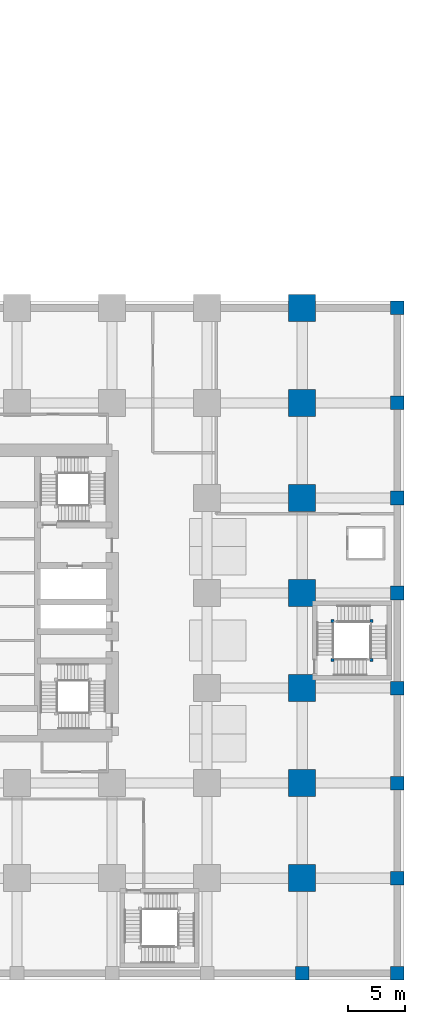
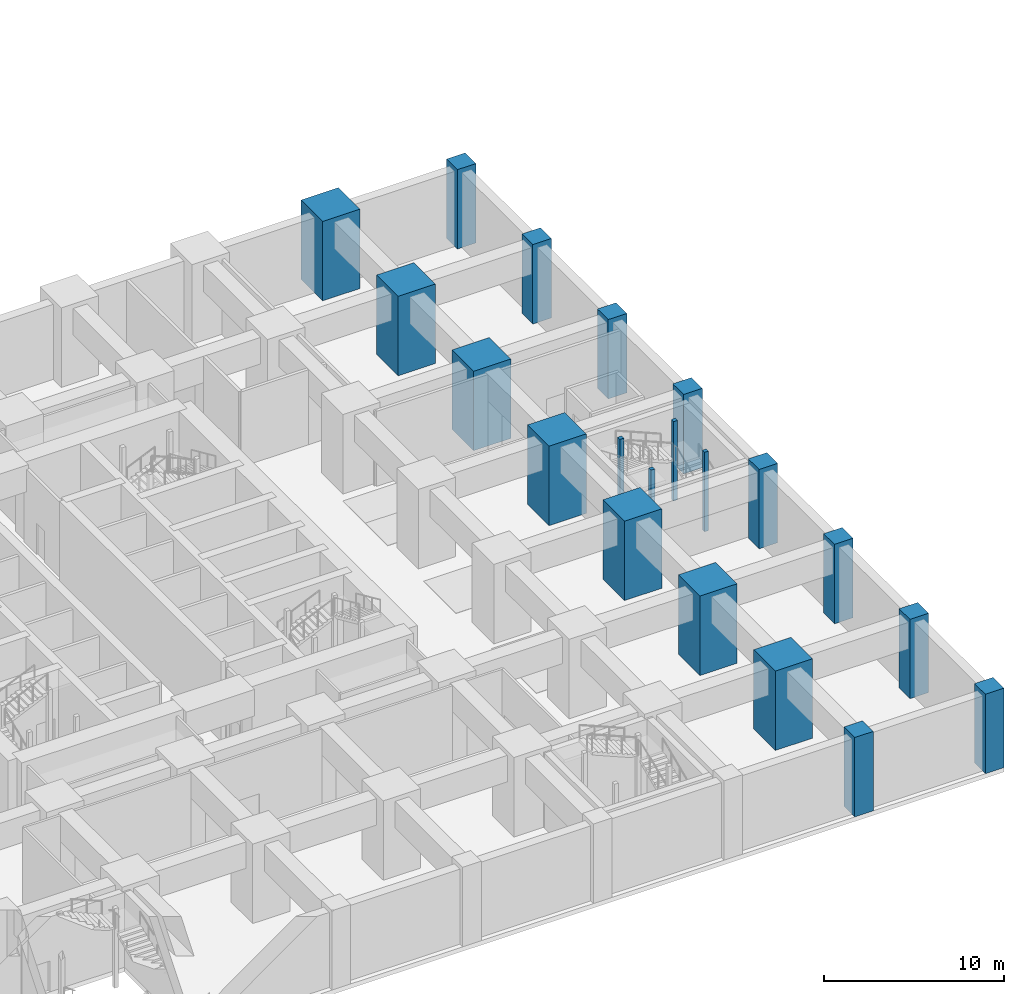
# One storey, part 3 of 20: 20 columns.
"""IFC4 building model written with IfcOpenShell, lengths in metres."""

from ifc_helpers import new_model, si_unit, direction, frame, origin, origin_2d, place, context, subcontext, project, spatial, rectangle, extrude, material, material_profile, profile_set, type_object, element, save


model = new_model("IFC4")

# Units and contexts
model_context = context("Model", 3, precision=1e-05, world=origin(), true_north=direction((0.0, 1.0)))
body_context = subcontext(model_context, "Body", "Model", "MODEL_VIEW")
ifc_project = project(units=[si_unit("LENGTHUNIT", "METRE"), si_unit("AREAUNIT", "SQUARE_METRE"), si_unit("VOLUMEUNIT", "CUBIC_METRE"), si_unit("PLANEANGLEUNIT", "RADIAN"), si_unit("MASSUNIT", "GRAM", prefix="KILO")], contexts=[model_context])

# Site, building, storey
site_placement = place(None, origin())
site = spatial("IfcSite", under=ifc_project, at=site_placement, CompositionType="ELEMENT")
building_placement = place(site_placement, origin())
building = spatial("IfcBuilding", under=site, at=building_placement, Name="Rekha Terrace Tower", CompositionType="ELEMENT")
storey_placement = place(building_placement, frame((0.0, 0.0, -5.39990234375)))
storey = spatial("IfcBuildingStorey", under=building, at=storey_placement, Name="B-01", CompositionType="ELEMENT", Elevation=-5.39990234375)

# Columns
ifc_material_1 = material(Name="Concrete M70", Category="concrete")
ifc_material_profile_1 = material_profile(ifc_material_1, rectangle(XDim=2.39990234375, YDim=2.39990234375, at=origin_2d()), Name="RC 2400x2400")
ifc_profile_set_1 = profile_set([ifc_material_profile_1], Name="Concrete M70")
column_type_1 = type_object("IfcColumnType", Name="C1 2400x2400 column", PredefinedType="COLUMN", material=ifc_profile_set_1)
for number, where, z_axis, x_axis, name in (
    (1, (67.199951171875, 8.39990234375, 0.0), (0.0, 0.0, 1.0), (1.0, 0.0, 0.0), "Column C1 9/B B-01"),
    (2, (67.199951171875, 16.800048828125, 0.0), (0.0, 0.0, 1.0), (1.0, 0.0, 0.0), "Column C1 9/C B-01"),
    (3, (67.199951171875, 25.199951171875, 0.0), (0.0, 0.0, 1.0), (1.0, 0.0, 0.0), "Column C1 9/D B-01"),
    (4, (67.199951171875, 33.60009765625, 0.0), (0.0, 0.0, 1.0), (1.0, 0.0, 0.0), "Column C1 9/E B-01"),
    (5, (67.199951171875, 42.0, 0.0), (0.0, 0.0, 1.0), (1.0, 0.0, 0.0), "Column C1 9/F B-01"),
    (6, (67.199951171875, 50.39990234375, 0.0), (0.0, 0.0, 1.0), (1.0, 0.0, 0.0), "Column C1 9/G B-01"),
    (7, (67.199951171875, 58.800048828125, 0.0), (0.0, 0.0, 1.0), (1.0, 0.0, 0.0), "Column C1 9/H B-01"),
):
    element("IfcColumn", number, at=place(storey_placement, frame(where, z_axis=z_axis, x_axis=x_axis)), inside=storey, type_object=column_type_1, Name=name, PredefinedType="COLUMN", context=body_context, shape_type="SweptSolid", body=[
        extrude(rectangle(XDim=2.39990234375, YDim=2.39990234375, at=origin_2d()), origin(), (0.0, 0.0, 1.0), 5.39990234375),
    ])
ifc_material_2 = material(Name="Concrete M60", Category="concrete")
ifc_material_profile_2 = material_profile(ifc_material_2, rectangle(XDim=1.199951171875, YDim=1.199951171875, at=origin_2d()), Name="RC 1200x1200")
ifc_profile_set_2 = profile_set([ifc_material_profile_2], Name="Concrete M60")
column_type_2 = type_object("IfcColumnType", Name="C6 1200x1200 podium column", PredefinedType="COLUMN", material=ifc_profile_set_2)
for number, where, z_axis, x_axis, name in (
    (8, (67.199951171875, 0.0, 0.0), (0.0, 0.0, 1.0), (1.0, 0.0, 0.0), "Column C6 9/A B-01"),
    (9, (75.60009765625, 0.0, 0.0), (0.0, 0.0, 1.0), (1.0, 0.0, 0.0), "Column C6 10/A B-01"),
    (10, (75.60009765625, 8.39990234375, 0.0), (0.0, 0.0, 1.0), (1.0, 0.0, 0.0), "Column C6 10/B B-01"),
    (11, (75.60009765625, 16.800048828125, 0.0), (0.0, 0.0, 1.0), (1.0, 0.0, 0.0), "Column C6 10/C B-01"),
    (12, (75.60009765625, 25.199951171875, 0.0), (0.0, 0.0, 1.0), (1.0, 0.0, 0.0), "Column C6 10/D B-01"),
    (13, (75.60009765625, 33.60009765625, 0.0), (0.0, 0.0, 1.0), (1.0, 0.0, 0.0), "Column C6 10/E B-01"),
    (14, (75.60009765625, 42.0, 0.0), (0.0, 0.0, 1.0), (1.0, 0.0, 0.0), "Column C6 10/F B-01"),
    (15, (75.60009765625, 50.39990234375, 0.0), (0.0, 0.0, 1.0), (1.0, 0.0, 0.0), "Column C6 10/G B-01"),
    (16, (75.60009765625, 58.800048828125, 0.0), (0.0, 0.0, 1.0), (1.0, 0.0, 0.0), "Column C6 10/H B-01"),
):
    element("IfcColumn", number, at=place(storey_placement, frame(where, z_axis=z_axis, x_axis=x_axis)), inside=storey, type_object=column_type_2, Name=name, PredefinedType="COLUMN", context=body_context, shape_type="SweptSolid", body=[
        extrude(rectangle(XDim=1.199951171875, YDim=1.199951171875, at=origin_2d()), origin(), (0.0, 0.0, 1.0), 5.39990234375),
    ])
ifc_material_profile_3 = material_profile(ifc_material_2, rectangle(XDim=0.25, YDim=0.25, at=origin_2d()), Name="RC 250x250")
ifc_profile_set_3 = profile_set([ifc_material_profile_3], Name="Concrete M60")
column_type_3 = type_object("IfcColumnType", Name="NP1 250x250 stair newel post", PredefinedType="COLUMN", material=ifc_profile_set_3)
for number, where, z_axis, x_axis, name in (
    (17, (69.875, 27.675048828125, 0.0), (0.0, 0.0, 1.0), (1.0, 0.0, 0.0), "Stair newel post NP1"),
    (18, (73.324951171875, 27.675048828125, 0.0), (0.0, 0.0, 1.0), (1.0, 0.0, 0.0), "Stair newel post NP1"),
    (19, (73.324951171875, 31.125, 0.0), (0.0, 0.0, 1.0), (1.0, 0.0, 0.0), "Stair newel post NP1"),
    (20, (69.875, 31.125, 0.0), (0.0, 0.0, 1.0), (1.0, 0.0, 0.0), "Stair newel post NP1"),
):
    element("IfcColumn", number, at=place(storey_placement, frame(where, z_axis=z_axis, x_axis=x_axis)), inside=storey, type_object=column_type_3, Name=name, PredefinedType="COLUMN", context=body_context, shape_type="SweptSolid", body=[
        extrude(rectangle(XDim=0.25, YDim=0.25, at=origin_2d()), origin(), (0.0, 0.0, 1.0), 5.39990234375),
    ])

save(model, "model.ifc")
